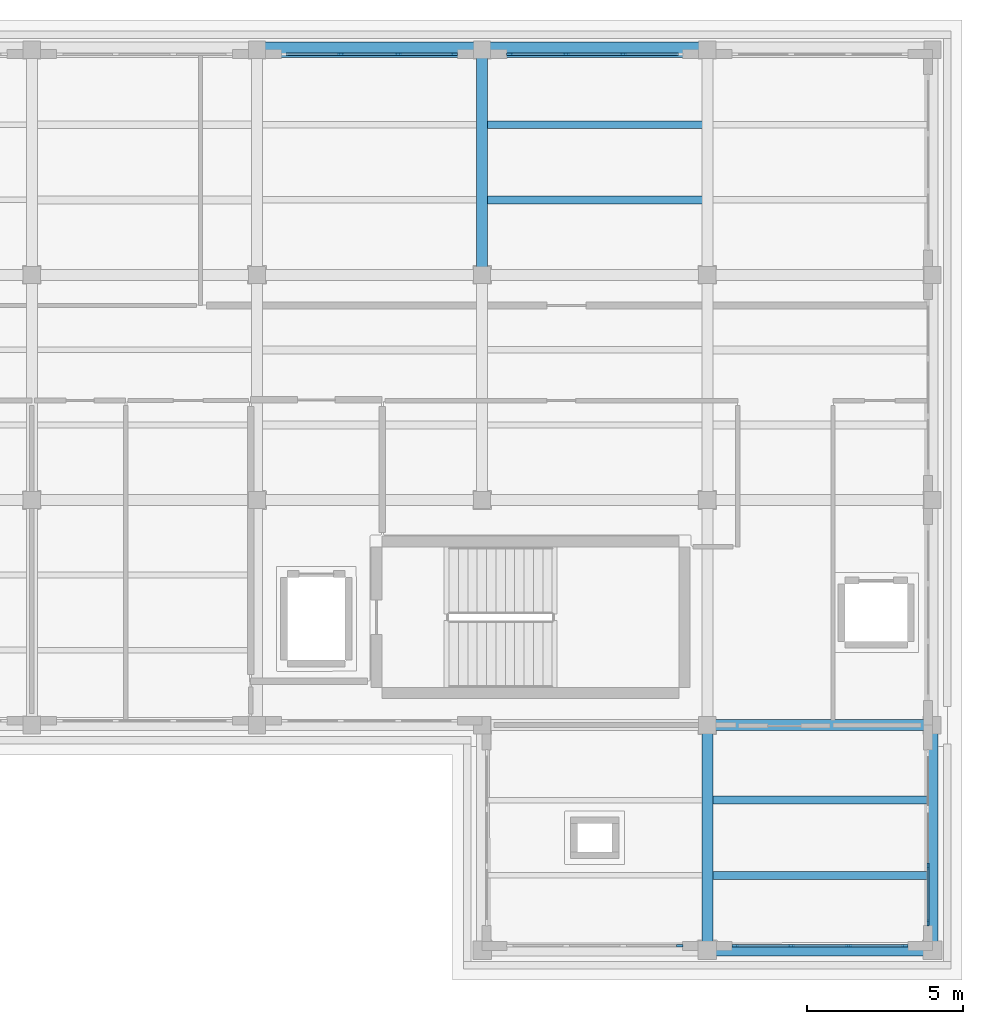
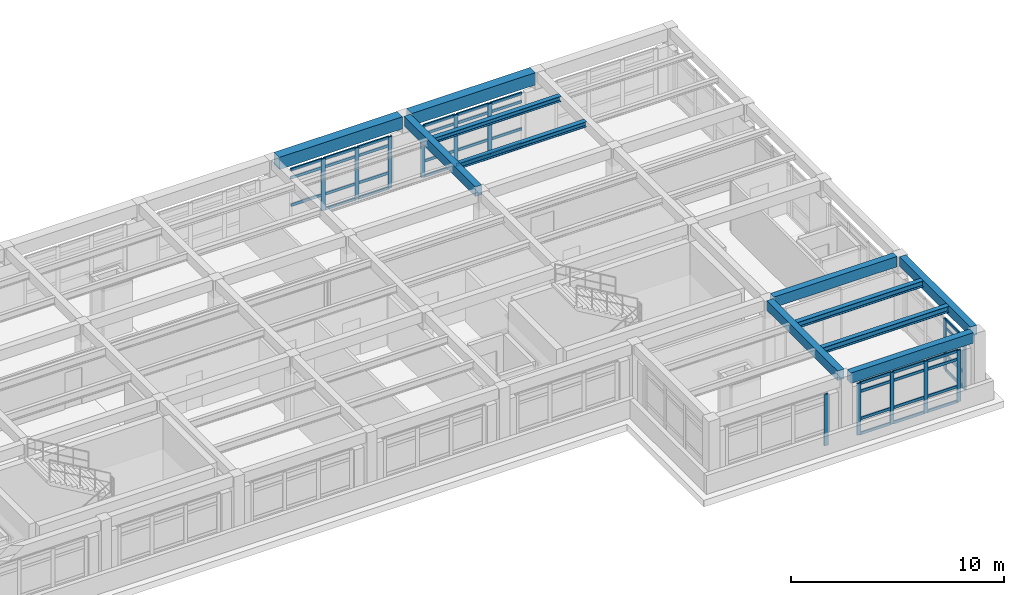
# One storey, part 8 of 21: 52 members, 11 beams, 5 elements without a shape of their own.
"""IFC4 building model written with IfcOpenShell, lengths in metres."""

import ifcopenshell
import ifcopenshell.guid

model = None  # the IFC model being written
_history = None  # IfcOwnerHistory: only IFC2X3 demands one
_inside = {}  # id of a spatial element -> (the spatial element, [elements in it])
_under = {}  # id of a project, library or spatial element -> (it, [spatial elements below it])
_declared = {}  # id of a project -> (the project, [libraries it declares])
_typed = {}  # id of a type object -> (the type object, [elements of that type])
_made_of = {}  # id of a material, layer set ... -> (it, [elements and type objects made of it])


def new_model(schema):
    """Start an empty IFC model of exactly this schema.

    Asked for "IFC4X3", IfcOpenShell would pick the latest addendum, in which some entities
    have other attributes; the version numbers below select the first issue.
    IFC2X3 requires an IfcOwnerHistory on every rooted entity: one is made here for all.
    """
    global model, _history
    if schema == "IFC4X3":
        model = ifcopenshell.file(schema_version=(4, 3, 0, 0))
    else:
        model = ifcopenshell.file(schema=schema)
    _inside.clear()
    _under.clear()
    _declared.clear()
    _typed.clear()
    _made_of.clear()
    _history = None
    if model.schema == "IFC2X3":
        org = make("IfcOrganization", Name="unknown")
        user = make(
            "IfcPersonAndOrganization",
            ThePerson=make("IfcPerson", FamilyName="unknown"),
            TheOrganization=org,
        )
        app = make(
            "IfcApplication",
            ApplicationDeveloper=org,
            Version="unknown",
            ApplicationFullName="unknown",
            ApplicationIdentifier="unknown",
        )
        _history = make(
            "IfcOwnerHistory",
            OwningUser=user,
            OwningApplication=app,
            ChangeAction="ADDED",
            CreationDate=0,
        )
    return model


def make(cls, **values):
    """One entity of the class cls with the attributes given. An attribute that is None is left unset."""
    return model.create_entity(
        cls, **{name: value for name, value in values.items() if value is not None}
    )


def rooted(cls, **values):
    """An entity with a GlobalId (a new one), such as an element, a storey or a relation."""
    return make(cls, GlobalId=ifcopenshell.guid.new(), OwnerHistory=_history, **values)


def si_unit(unit_type, name, prefix=None):
    """IfcSIUnit, for example si_unit("LENGTHUNIT", "METRE", prefix="MILLI")."""
    return make("IfcSIUnit", UnitType=unit_type, Prefix=prefix, Name=name)


def assignment(units):
    """IfcUnitAssignment: the units of a project."""
    return None if units is None else make("IfcUnitAssignment", Units=units)


def point(xyz):
    """IfcCartesianPoint."""
    return None if xyz is None else make("IfcCartesianPoint", Coordinates=xyz)


def direction(xyz):
    """IfcDirection."""
    return None if xyz is None else make("IfcDirection", DirectionRatios=xyz)


def frame(location, z_axis=None, x_axis=None):
    """IfcAxis2Placement3D, a coordinate frame: its origin and axes. An axis left out is left unset."""
    return make(
        "IfcAxis2Placement3D",
        Location=point(location),
        Axis=direction(z_axis),
        RefDirection=direction(x_axis),
    )


def frame_2d(location, x_axis=None):
    """IfcAxis2Placement2D, a coordinate frame in the plane: its origin and x axis."""
    return make(
        "IfcAxis2Placement2D", Location=point(location), RefDirection=direction(x_axis)
    )


def origin():
    """The frame at (0, 0, 0) with its axes left unset."""
    return frame((0.0, 0.0, 0.0))


def origin_2d():
    """The frame at (0, 0) in the plane with its x axis left unset."""
    return frame_2d((0.0, 0.0))


def place(relative_to, where):
    """IfcLocalPlacement: puts the frame where relative to a parent placement (None: the world)."""
    return make(
        "IfcLocalPlacement", PlacementRelTo=relative_to, RelativePlacement=where
    )


def context(
    kind, dimensions, precision=None, world=None, true_north=None, identifier=None
):
    """IfcGeometricRepresentationContext, for example the 3D "Model" context."""
    return make(
        "IfcGeometricRepresentationContext",
        ContextIdentifier=identifier,
        ContextType=kind,
        CoordinateSpaceDimension=dimensions,
        Precision=precision,
        WorldCoordinateSystem=world,
        TrueNorth=true_north,
    )


def subcontext(parent, identifier, kind, view, scale=None):
    """IfcGeometricRepresentationSubContext, for example "Body" below "Model"."""
    return make(
        "IfcGeometricRepresentationSubContext",
        ContextIdentifier=identifier,
        ContextType=kind,
        ParentContext=parent,
        TargetScale=scale,
        TargetView=view,
    )


def project(units=None, contexts=None):
    """IfcProject with its units and contexts."""
    return rooted(
        "IfcProject",
        Name="project",
        RepresentationContexts=contexts,
        UnitsInContext=assignment(units),
    )


def spatial(cls, under=None, at=None, **own):
    """A site, building, storey or space (cls), placed at a placement, below another one or the project."""
    s = rooted(cls, ObjectPlacement=at, **own)
    if under is not None:
        _under.setdefault(under.id(), (under, []))[1].append(s)
    return s


def profile(cls, at=None, kind="AREA", **sizes):
    """A parametric profile (cls). Its sizes go by their IFC names, for example OverallWidth=200.0."""
    return make(cls, ProfileType=kind, Position=at, **sizes)


def rectangle(**sizes):
    """IfcRectangleProfileDef."""
    return profile("IfcRectangleProfileDef", **sizes)


def i_section(**sizes):
    """IfcIShapeProfileDef."""
    return profile("IfcIShapeProfileDef", **sizes)


def extrude(swept, where, along, depth):
    """IfcExtrudedAreaSolid: the profile swept, set in the frame where, extruded along a direction by depth."""
    return make(
        "IfcExtrudedAreaSolid",
        SweptArea=swept,
        Position=where,
        ExtrudedDirection=direction(along),
        Depth=depth,
    )


def shape(context_of_items, identifier, shape_type, items):
    """IfcShapeRepresentation: the items that make up one representation, for example the "Body"."""
    return make(
        "IfcShapeRepresentation",
        ContextOfItems=context_of_items,
        RepresentationIdentifier=identifier,
        RepresentationType=shape_type,
        Items=items,
    )


def material(Name=None, Category=None):
    """IfcMaterial."""
    return make("IfcMaterial", Name=Name, Category=Category)


def layer(
    of_material, thickness, ventilated=None, Name=None, Category=None, Priority=None
):
    """IfcMaterialLayer: one layer of a wall or slab, of a material (None: an air gap)."""
    return make(
        "IfcMaterialLayer",
        Material=of_material,
        LayerThickness=thickness,
        IsVentilated=ventilated,
        Name=Name,
        Category=Category,
        Priority=Priority,
    )


def layer_set(layers, Name=None):
    """IfcMaterialLayerSet."""
    return make("IfcMaterialLayerSet", MaterialLayers=layers, LayerSetName=Name)


def material_profile(
    of_material, cross_section, Name=None, Category=None, Priority=None
):
    """IfcMaterialProfile: a cross section and its material."""
    return make(
        "IfcMaterialProfile",
        Name=Name,
        Material=of_material,
        Profile=cross_section,
        Priority=Priority,
        Category=Category,
    )


def profile_set(profiles, Name=None, composite=None):
    """IfcMaterialProfileSet."""
    return make(
        "IfcMaterialProfileSet",
        Name=Name,
        MaterialProfiles=profiles,
        CompositeProfile=composite,
    )


def made_of(thing, what):
    """Note that an element or type object is made of a material, layer set ...; save() writes the relation."""
    if what is not None:
        _made_of.setdefault(what.id(), (what, []))[1].append(thing)
    return thing


def type_object(cls, material=None, **own):
    """A type object (cls), such as IfcWallType, which elements share."""
    return made_of(rooted(cls, **own), material)


def element(
    cls,
    number,
    at=None,
    inside=None,
    cuts=None,
    type_object=None,
    material=None,
    context=None,
    identifier="Body",
    shape_type=None,
    held_by="IfcProductDefinitionShape",
    body=None,
    shapes=None,
    **own,
):
    """One element of the class cls, such as IfcWall. Its Tag is "e" and its number.

    at: its placement. inside: the storey or other place that contains it. cuts: it is an
    opening in that element (IfcRelVoidsElement). A single representation is given by context,
    identifier, shape_type and body (its items); several are given by shapes. held_by: the class
    of the entity that holds the representations. save() writes the other relations.
    """
    e = rooted(cls, Tag="e%d" % number, ObjectPlacement=at, **own)
    if body is not None:
        shapes = [shape(context, identifier, shape_type, body)]
    if shapes is not None:
        e.Representation = make(held_by, Representations=shapes)
    if inside is not None:
        _inside.setdefault(inside.id(), (inside, []))[1].append(e)
    if cuts is not None:
        rooted(
            "IfcRelVoidsElement", RelatingBuildingElement=cuts, RelatedOpeningElement=e
        )
    if type_object is not None:
        _typed.setdefault(type_object.id(), (type_object, []))[1].append(e)
    return made_of(e, material)


def aggregate(whole, parts):
    """IfcRelAggregates: a whole, such as a stair, and the parts it consists of."""
    return rooted("IfcRelAggregates", RelatingObject=whole, RelatedObjects=parts)


def save(model, path):
    """Write the relations noted so far, then the file.

    IfcRelAggregates (storeys below a building ...), IfcRelContainedInSpatialStructure (elements
    in a storey), IfcRelDefinesByType, IfcRelAssociatesMaterial and IfcRelDeclares: one each for
    every whole, place, type object, material and project.
    """
    for whole, parts in _under.values():
        aggregate(whole, parts)
    for where, things in _inside.values():
        rooted(
            "IfcRelContainedInSpatialStructure",
            RelatedElements=things,
            RelatingStructure=where,
        )
    for kind, things in _typed.values():
        rooted("IfcRelDefinesByType", RelatedObjects=things, RelatingType=kind)
    for what, things in _made_of.values():
        rooted("IfcRelAssociatesMaterial", RelatedObjects=things, RelatingMaterial=what)
    for by, libraries in _declared.values():
        rooted("IfcRelDeclares", RelatingContext=by, RelatedDefinitions=libraries)
    model.write(path)


model = new_model("IFC4")

# Units and contexts
model_context = context("Model", 3, precision=1e-05, world=origin(), true_north=direction((0.0, 1.0)))
body_context = subcontext(model_context, "Body", "Model", "MODEL_VIEW")
ifc_project = project(units=[si_unit("LENGTHUNIT", "METRE"), si_unit("AREAUNIT", "SQUARE_METRE"), si_unit("VOLUMEUNIT", "CUBIC_METRE"), si_unit("PLANEANGLEUNIT", "RADIAN"), si_unit("MASSUNIT", "GRAM", prefix="KILO")], contexts=[model_context])

# Site, building, storey
site_placement = place(None, origin())
site = spatial("IfcSite", under=ifc_project, at=site_placement, CompositionType="ELEMENT")
building_placement = place(site_placement, origin())
building = spatial("IfcBuilding", under=site, at=building_placement, Name="Solenvale Faculty of Natural Sciences", CompositionType="ELEMENT")
storey_placement = place(building_placement, frame((0.0, 0.0, 31.199951171875)))
storey = spatial("IfcBuildingStorey", under=building, at=storey_placement, Name="L07", CompositionType="ELEMENT", Elevation=31.199951171875)

# Beams
ifc_material_1 = material(Name="Concrete 40 MPa", Category="concrete")
ifc_material_profile_1 = material_profile(ifc_material_1, rectangle(XDim=0.35009765625, YDim=0.550048828125, at=origin_2d()), Name="RC-BM-350x550")
ifc_profile_set_1 = profile_set([ifc_material_profile_1], Name="Concrete 40 MPa")
beam_type_1 = type_object("IfcBeamType", Name="BM-RC-350x550", PredefinedType="BEAM", material=ifc_profile_set_1)
beam_1_placement = place(storey_placement, frame((136.800048828125, 108.2548828125, 3.64501953125), z_axis=(0.0, 1.0, 0.0), x_axis=(-1.0, 0.0, 0.0)))
element("IfcBeam", 1, at=beam_1_placement, inside=storey, type_object=beam_type_1, Name="L07 Y-Girder X136.8 (108.0..115.2)", PredefinedType="BEAM", context=body_context, shape_type="SweptSolid", body=[
    extrude(rectangle(XDim=0.35009765625, YDim=0.550048828125, at=origin_2d()), origin(), (0.0, 0.0, 1.0), 6.690185546875),
])
for number, where, z_axis, x_axis, name in (
    (2, (144.0, 86.679931640625, 3.64501953125), (0.0, 1.0, 0.0), (-1.0, 0.0, 0.0), "L07 Y-Girder X144.0 (86.4..93.6)"),
    (3, (151.199951171875, 86.679931640625, 3.64501953125), (0.0, 1.0, 0.0), (-1.0, 0.0, 0.0), "L07 Y-Girder X151.2 (86.4..93.6)"),
):
    element("IfcBeam", number, at=place(storey_placement, frame(where, z_axis=z_axis, x_axis=x_axis)), inside=storey, type_object=beam_type_1, Name=name, PredefinedType="BEAM", context=body_context, shape_type="SweptSolid", body=[
        extrude(rectangle(XDim=0.35009765625, YDim=0.550048828125, at=origin_2d()), origin(), (0.0, 0.0, 1.0), 6.6650390625),
    ])
ifc_material_profile_2 = material_profile(ifc_material_1, rectangle(XDim=0.35009765625, YDim=0.60009765625, at=origin_2d()), Name="RC-BM-350x600")
ifc_profile_set_2 = profile_set([ifc_material_profile_2], Name="Concrete 40 MPa")
beam_type_2 = type_object("IfcBeamType", Name="BM-RC-350x600", PredefinedType="BEAM", material=ifc_profile_set_2)
beam_2_placement = place(storey_placement, frame((144.280029296875, 86.39990234375, 3.6201171875), z_axis=(1.0, 0.0, 0.0), x_axis=(0.0, 1.0, 0.0)))
element("IfcBeam", 4, at=beam_2_placement, inside=storey, type_object=beam_type_2, Name="L07 X-Girder Y86.4 (144.0..151.2)", PredefinedType="BEAM", context=body_context, shape_type="SweptSolid", body=[
    extrude(rectangle(XDim=0.35009765625, YDim=0.60009765625, at=origin_2d()), origin(), (0.0, 0.0, 1.0), 6.639892578125),
])
beam_3_placement = place(storey_placement, frame((144.2548828125, 93.60009765625, 3.6201171875), z_axis=(1.0, 0.0, 0.0), x_axis=(0.0, 1.0, 0.0)))
element("IfcBeam", 5, at=beam_3_placement, inside=storey, type_object=beam_type_2, Name="L07 X-Girder Y93.6 (144.0..151.2)", PredefinedType="BEAM", context=body_context, shape_type="SweptSolid", body=[
    extrude(rectangle(XDim=0.35009765625, YDim=0.60009765625, at=origin_2d()), origin(), (0.0, 0.0, 1.0), 6.690185546875),
])
ifc_material_2 = material(Name="Precast concrete 40 MPa", Category="concrete")
ifc_material_profile_3 = material_profile(ifc_material_2, rectangle(XDim=0.5, YDim=0.699951171875, at=origin_2d()), Name="RC-BM-500x700")
ifc_profile_set_3 = profile_set([ifc_material_profile_3], Name="Precast concrete 40 MPa")
beam_type_3 = type_object("IfcBeamType", Name="BM-SPN-PRC-700", PredefinedType="SPANDREL", material=ifc_profile_set_3)
beam_4_placement = place(storey_placement, frame((129.85498046875, 115.199951171875, 3.570068359375), z_axis=(1.0, 0.0, 0.0), x_axis=(0.0, 1.0, 0.0)))
element("IfcBeam", 6, at=beam_4_placement, inside=storey, type_object=beam_type_3, Name="L07 X-Girder Y115.2 (129.6..136.8)", PredefinedType="SPANDREL", context=body_context, shape_type="SweptSolid", body=[
    extrude(rectangle(XDim=0.5, YDim=0.699951171875, at=origin_2d()), origin(), (0.0, 0.0, 1.0), 6.68994140625),
])
beam_5_placement = place(storey_placement, frame((137.054931640625, 115.199951171875, 3.570068359375), z_axis=(1.0, 0.0, 0.0), x_axis=(0.0, 1.0, 0.0)))
element("IfcBeam", 7, at=beam_5_placement, inside=storey, type_object=beam_type_3, Name="L07 X-Girder Y115.2 (136.8..144.0)", PredefinedType="SPANDREL", context=body_context, shape_type="SweptSolid", body=[
    extrude(rectangle(XDim=0.5, YDim=0.699951171875, at=origin_2d()), origin(), (0.0, 0.0, 1.0), 6.690185546875),
])
ifc_material_3 = material(Name="Steel S355", Category="steel")
ifc_material_profile_4 = material_profile(ifc_material_3, i_section(OverallWidth=0.25390625, OverallDepth=0.305908203125, WebThickness=0.0087890625, FlangeThickness=0.0146484375, FilletRadius=0.014892578125, at=origin_2d()), Name="W310x79")
ifc_profile_set_4 = profile_set([ifc_material_profile_4], Name="Steel S355")
beam_type_4 = type_object("IfcBeamType", Name="BM-STL-W310x79", PredefinedType="JOIST", material=ifc_profile_set_4)
for number, where, z_axis, x_axis, name in (
    (8, (136.955078125, 110.39990234375, 3.76708984375), (1.0, 0.0, 0.0), (0.0, 1.0, 0.0), "L07 Composite Floor Joist (20,16).1"),
    (9, (136.955078125, 112.800048828125, 3.76708984375), (1.0, 0.0, 0.0), (0.0, 1.0, 0.0), "L07 Composite Floor Joist (20,16).2"),
):
    element("IfcBeam", number, at=place(storey_placement, frame(where, z_axis=z_axis, x_axis=x_axis)), inside=storey, type_object=beam_type_4, Name=name, PredefinedType="JOIST", context=body_context, shape_type="SweptSolid", body=[
        extrude(i_section(OverallWidth=0.25390625, OverallDepth=0.305908203125, WebThickness=0.0087890625, FlangeThickness=0.0146484375, FilletRadius=0.014892578125, at=origin_2d()), origin(), (0.0, 0.0, 1.0), 6.889892578125),
    ])
ifc_material_profile_5 = material_profile(ifc_material_3, i_section(OverallWidth=0.2548828125, OverallDepth=0.35693359375, WebThickness=0.010498046875, FlangeThickness=0.018310546875, FilletRadius=0.014892578125, at=origin_2d()), Name="W360x101")
ifc_profile_set_5 = profile_set([ifc_material_profile_5], Name="Steel S355")
beam_type_5 = type_object("IfcBeamType", Name="BM-STL-W360x101", PredefinedType="JOIST", material=ifc_profile_set_5)
for number, where, z_axis, x_axis, name in (
    (10, (144.155029296875, 88.800048828125, 3.741455078125), (1.0, 0.0, 0.0), (0.0, 1.0, 0.0), "L07 Composite Floor Joist (21,13).1"),
    (11, (144.155029296875, 91.199951171875, 3.741455078125), (1.0, 0.0, 0.0), (0.0, 1.0, 0.0), "L07 Composite Floor Joist (21,13).2"),
):
    element("IfcBeam", number, at=place(storey_placement, frame(where, z_axis=z_axis, x_axis=x_axis)), inside=storey, type_object=beam_type_5, Name=name, PredefinedType="JOIST", context=body_context, shape_type="SweptSolid", body=[
        extrude(i_section(OverallWidth=0.2548828125, OverallDepth=0.35693359375, WebThickness=0.010498046875, FlangeThickness=0.018310546875, FilletRadius=0.014892578125, at=origin_2d()), origin(), (0.0, 0.0, 1.0), 6.889892578125),
    ])

# Curtain wall, members
ifc_material_4 = material(Name="Anodised bronze aluminium", Category="aluminium")
ifc_layer = layer(ifc_material_4, 0.179931640625)
ifc_layer_set = layer_set([ifc_layer], Name="Anodised bronze aluminium")
curtain_wall_type = type_object("IfcCurtainWallType", Name="CW-TWR-MOD", PredefinedType="USERDEFINED", material=ifc_layer_set)
curtain_wall_1_placement = place(storey_placement, origin())
curtain_wall_1 = element("IfcCurtainWall", 12, at=curtain_wall_1_placement, inside=storey, type_object=curtain_wall_type, Name="L07 Curtain Wall CW-L07-P1-E2-B2", ObjectType="UNITISED CURTAIN WALL", PredefinedType="USERDEFINED")
ifc_material_profile_6 = material_profile(ifc_material_4, rectangle(XDim=0.074951171875, YDim=0.2099609375, at=origin_2d()), Name="ALU-MUL-75x210")
ifc_profile_set_6 = profile_set([ifc_material_profile_6], Name="Anodised bronze aluminium")
member_type_1 = type_object("IfcMemberType", Name="CWM-ALU-75x210", PredefinedType="MULLION", material=ifc_profile_set_6)
member_1_placement = place(storey_placement, frame((141.316650390625, 115.0576171875, 0.0), z_axis=(0.0, 0.0, 1.0), x_axis=(0.0, -1.0, 0.0)))
member_1 = element("IfcMember", 13, at=member_1_placement, type_object=member_type_1, Name="CW-04 mullion 2", PredefinedType="MULLION", context=body_context, shape_type="SweptSolid", body=[
    extrude(rectangle(XDim=0.074951171875, YDim=0.2099609375, at=origin_2d()), origin(), (0.0, 0.0, 1.0), 2.9599609375),
])
member_2_placement = place(storey_placement, frame((139.4833984375, 115.0576171875, 0.0), z_axis=(0.0, 0.0, 1.0), x_axis=(0.0, -1.0, 0.0)))
member_2 = element("IfcMember", 14, at=member_2_placement, type_object=member_type_1, Name="CW-04 mullion 3", PredefinedType="MULLION", context=body_context, shape_type="SweptSolid", body=[
    extrude(rectangle(XDim=0.074951171875, YDim=0.2099609375, at=origin_2d()), origin(), (0.0, 0.0, 1.0), 2.9599609375),
])
member_3_placement = place(storey_placement, frame((137.6875, 115.0576171875, 0.0), z_axis=(0.0, 0.0, 1.0), x_axis=(0.0, -1.0, 0.0)))
member_3 = element("IfcMember", 15, at=member_3_placement, type_object=member_type_1, Name="CW-04 mullion 4", PredefinedType="MULLION", context=body_context, shape_type="SweptSolid", body=[
    extrude(rectangle(XDim=0.074951171875, YDim=0.2099609375, at=origin_2d()), origin(), (0.0, 0.0, 1.0), 2.9599609375),
])

curtain_wall_2_placement = place(storey_placement, origin())
curtain_wall_2 = element("IfcCurtainWall", 16, at=curtain_wall_2_placement, inside=storey, type_object=curtain_wall_type, Name="L07 Curtain Wall CW-L07-P1-E2-B3", ObjectType="UNITISED CURTAIN WALL", PredefinedType="USERDEFINED")
member_4_placement = place(storey_placement, frame((135.91259765625, 115.0576171875, 0.0), z_axis=(0.0, 0.0, 1.0), x_axis=(0.0, -1.0, 0.0)))
member_4 = element("IfcMember", 17, at=member_4_placement, type_object=member_type_1, Name="CW-04 mullion 1", PredefinedType="MULLION", context=body_context, shape_type="SweptSolid", body=[
    extrude(rectangle(XDim=0.074951171875, YDim=0.2099609375, at=origin_2d()), origin(), (0.0, 0.0, 1.0), 2.9599609375),
])
member_5_placement = place(storey_placement, frame((134.11669921875, 115.0576171875, 0.0), z_axis=(0.0, 0.0, 1.0), x_axis=(0.0, -1.0, 0.0)))
member_5 = element("IfcMember", 18, at=member_5_placement, type_object=member_type_1, Name="CW-04 mullion 2", PredefinedType="MULLION", context=body_context, shape_type="SweptSolid", body=[
    extrude(rectangle(XDim=0.074951171875, YDim=0.2099609375, at=origin_2d()), origin(), (0.0, 0.0, 1.0), 2.9599609375),
])
member_6_placement = place(storey_placement, frame((132.283447265625, 115.0576171875, 0.0), z_axis=(0.0, 0.0, 1.0), x_axis=(0.0, -1.0, 0.0)))
member_6 = element("IfcMember", 19, at=member_6_placement, type_object=member_type_1, Name="CW-04 mullion 3", PredefinedType="MULLION", context=body_context, shape_type="SweptSolid", body=[
    extrude(rectangle(XDim=0.074951171875, YDim=0.2099609375, at=origin_2d()), origin(), (0.0, 0.0, 1.0), 2.9599609375),
])

# Curtain wall, member
curtain_wall_3_placement = place(storey_placement, origin())
curtain_wall_3 = element("IfcCurtainWall", 20, at=curtain_wall_3_placement, inside=storey, type_object=curtain_wall_type, Name="L07 Curtain Wall CW-L07-P1-E6-B1", ObjectType="UNITISED CURTAIN WALL", PredefinedType="USERDEFINED")
member_7_placement = place(storey_placement, frame((143.112548828125, 86.54248046875, 0.0), z_axis=(0.0, 0.0, 1.0), x_axis=(0.0, 1.0, 0.0)))
member_7 = element("IfcMember", 21, at=member_7_placement, type_object=member_type_1, Name="CW-04 mullion 4", PredefinedType="MULLION", context=body_context, shape_type="SweptSolid", body=[
    extrude(rectangle(XDim=0.074951171875, YDim=0.2099609375, at=origin_2d()), origin(), (0.0, 0.0, 1.0), 2.9599609375),
])
aggregate(curtain_wall_3, [member_7])

# Curtain wall, members
curtain_wall_4_placement = place(storey_placement, origin())
curtain_wall_4 = element("IfcCurtainWall", 22, at=curtain_wall_4_placement, inside=storey, type_object=curtain_wall_type, Name="L07 Curtain Wall CW-L07-P1-E6-B2", ObjectType="UNITISED CURTAIN WALL", PredefinedType="USERDEFINED")
member_8_placement = place(storey_placement, frame((144.887451171875, 86.54248046875, 0.0), z_axis=(0.0, 0.0, 1.0), x_axis=(0.0, 1.0, 0.0)))
member_8 = element("IfcMember", 23, at=member_8_placement, type_object=member_type_1, Name="CW-04 mullion 1", PredefinedType="MULLION", context=body_context, shape_type="SweptSolid", body=[
    extrude(rectangle(XDim=0.074951171875, YDim=0.2099609375, at=origin_2d()), origin(), (0.0, 0.0, 1.0), 2.9599609375),
])
member_9_placement = place(storey_placement, frame((146.683349609375, 86.54248046875, 0.0), z_axis=(0.0, 0.0, 1.0), x_axis=(0.0, 1.0, 0.0)))
member_9 = element("IfcMember", 24, at=member_9_placement, type_object=member_type_1, Name="CW-04 mullion 2", PredefinedType="MULLION", context=body_context, shape_type="SweptSolid", body=[
    extrude(rectangle(XDim=0.074951171875, YDim=0.2099609375, at=origin_2d()), origin(), (0.0, 0.0, 1.0), 2.9599609375),
])
member_10_placement = place(storey_placement, frame((148.5166015625, 86.54248046875, 0.0), z_axis=(0.0, 0.0, 1.0), x_axis=(0.0, 1.0, 0.0)))
member_10 = element("IfcMember", 25, at=member_10_placement, type_object=member_type_1, Name="CW-04 mullion 3", PredefinedType="MULLION", context=body_context, shape_type="SweptSolid", body=[
    extrude(rectangle(XDim=0.074951171875, YDim=0.2099609375, at=origin_2d()), origin(), (0.0, 0.0, 1.0), 2.9599609375),
])
member_11_placement = place(storey_placement, frame((150.3125, 86.54248046875, 0.0), z_axis=(0.0, 0.0, 1.0), x_axis=(0.0, 1.0, 0.0)))
member_11 = element("IfcMember", 26, at=member_11_placement, type_object=member_type_1, Name="CW-04 mullion 4", PredefinedType="MULLION", context=body_context, shape_type="SweptSolid", body=[
    extrude(rectangle(XDim=0.074951171875, YDim=0.2099609375, at=origin_2d()), origin(), (0.0, 0.0, 1.0), 2.9599609375),
])

curtain_wall_5_placement = place(storey_placement, origin())
curtain_wall_5 = element("IfcCurtainWall", 27, at=curtain_wall_5_placement, inside=storey, type_object=curtain_wall_type, Name="L07 Curtain Wall CW-L07-P1-E7-B1", ObjectType="UNITISED CURTAIN WALL", PredefinedType="USERDEFINED")
member_12_placement = place(storey_placement, frame((151.0576171875, 87.28759765625, 0.0), z_axis=(0.0, 0.0, 1.0), x_axis=(-1.0, 0.0, 0.0)))
member_12 = element("IfcMember", 28, at=member_12_placement, type_object=member_type_1, Name="CW-04 mullion 1", PredefinedType="MULLION", context=body_context, shape_type="SweptSolid", body=[
    extrude(rectangle(XDim=0.074951171875, YDim=0.2099609375, at=origin_2d()), origin(), (0.0, 0.0, 1.0), 2.9599609375),
])
member_13_placement = place(storey_placement, frame((151.0576171875, 89.083251953125, 0.0), z_axis=(0.0, 0.0, 1.0), x_axis=(-1.0, 0.0, 0.0)))
member_13 = element("IfcMember", 29, at=member_13_placement, type_object=member_type_1, Name="CW-04 mullion 2", PredefinedType="MULLION", context=body_context, shape_type="SweptSolid", body=[
    extrude(rectangle(XDim=0.074951171875, YDim=0.2099609375, at=origin_2d()), origin(), (0.0, 0.0, 1.0), 2.9599609375),
])

# Member
ifc_material_profile_7 = material_profile(ifc_material_4, rectangle(XDim=0.074951171875, YDim=0.155029296875, at=origin_2d()), Name="ALU-TRN-75x155")
ifc_profile_set_7 = profile_set([ifc_material_profile_7], Name="Anodised bronze aluminium")
member_type_2 = type_object("IfcMemberType", Name="CWT-ALU-75x155", PredefinedType="USERDEFINED", material=ifc_profile_set_7)
member_14_placement = place(storey_placement, frame((143.074951171875, 115.0576171875, 0.03759765625), z_axis=(-1.0, 0.0, 0.0), x_axis=(0.0, -1.0, 0.0)))
member_14 = element("IfcMember", 30, at=member_14_placement, type_object=member_type_2, Name="CW-04 transom 1.1", ObjectType="TRANSOM", PredefinedType="USERDEFINED", context=body_context, shape_type="SweptSolid", body=[
    extrude(rectangle(XDim=0.074951171875, YDim=0.155029296875, at=origin_2d()), origin(), (0.0, 0.0, 1.0), 1.720703125),
])

member_15_placement = place(storey_placement, frame((143.074951171875, 115.0576171875, 0.900146484375), z_axis=(-1.0, 0.0, 0.0), x_axis=(0.0, -1.0, 0.0)))
member_15 = element("IfcMember", 31, at=member_15_placement, type_object=member_type_2, Name="CW-04 transom 1.2", ObjectType="TRANSOM", PredefinedType="USERDEFINED", context=body_context, shape_type="SweptSolid", body=[
    extrude(rectangle(XDim=0.074951171875, YDim=0.155029296875, at=origin_2d()), origin(), (0.0, 0.0, 1.0), 1.720703125),
])

member_16_placement = place(storey_placement, frame((143.074951171875, 115.0576171875, 2.4599609375), z_axis=(-1.0, 0.0, 0.0), x_axis=(0.0, -1.0, 0.0)))
member_16 = element("IfcMember", 32, at=member_16_placement, type_object=member_type_2, Name="CW-04 transom 1.3", ObjectType="TRANSOM", PredefinedType="USERDEFINED", context=body_context, shape_type="SweptSolid", body=[
    extrude(rectangle(XDim=0.074951171875, YDim=0.155029296875, at=origin_2d()), origin(), (0.0, 0.0, 1.0), 1.720703125),
])

member_17_placement = place(storey_placement, frame((143.074951171875, 115.0576171875, 2.922607421875), z_axis=(-1.0, 0.0, 0.0), x_axis=(0.0, -1.0, 0.0)))
member_17 = element("IfcMember", 33, at=member_17_placement, type_object=member_type_2, Name="CW-04 transom 1.4", ObjectType="TRANSOM", PredefinedType="USERDEFINED", context=body_context, shape_type="SweptSolid", body=[
    extrude(rectangle(XDim=0.074951171875, YDim=0.155029296875, at=origin_2d()), origin(), (0.0, 0.0, 1.0), 1.720703125),
])

member_18_placement = place(storey_placement, frame((141.279052734375, 115.0576171875, 0.03759765625), z_axis=(-1.0, 0.0, 0.0), x_axis=(0.0, -1.0, 0.0)))
member_18 = element("IfcMember", 34, at=member_18_placement, type_object=member_type_2, Name="CW-04 transom 2.1", ObjectType="TRANSOM", PredefinedType="USERDEFINED", context=body_context, shape_type="SweptSolid", body=[
    extrude(rectangle(XDim=0.074951171875, YDim=0.155029296875, at=origin_2d()), origin(), (0.0, 0.0, 1.0), 1.75830078125),
])

member_19_placement = place(storey_placement, frame((141.279052734375, 115.0576171875, 0.900146484375), z_axis=(-1.0, 0.0, 0.0), x_axis=(0.0, -1.0, 0.0)))
member_19 = element("IfcMember", 35, at=member_19_placement, type_object=member_type_2, Name="CW-04 transom 2.2", ObjectType="TRANSOM", PredefinedType="USERDEFINED", context=body_context, shape_type="SweptSolid", body=[
    extrude(rectangle(XDim=0.074951171875, YDim=0.155029296875, at=origin_2d()), origin(), (0.0, 0.0, 1.0), 1.75830078125),
])

member_20_placement = place(storey_placement, frame((141.279052734375, 115.0576171875, 2.4599609375), z_axis=(-1.0, 0.0, 0.0), x_axis=(0.0, -1.0, 0.0)))
member_20 = element("IfcMember", 36, at=member_20_placement, type_object=member_type_2, Name="CW-04 transom 2.3", ObjectType="TRANSOM", PredefinedType="USERDEFINED", context=body_context, shape_type="SweptSolid", body=[
    extrude(rectangle(XDim=0.074951171875, YDim=0.155029296875, at=origin_2d()), origin(), (0.0, 0.0, 1.0), 1.75830078125),
])

member_21_placement = place(storey_placement, frame((141.279052734375, 115.0576171875, 2.922607421875), z_axis=(-1.0, 0.0, 0.0), x_axis=(0.0, -1.0, 0.0)))
member_21 = element("IfcMember", 37, at=member_21_placement, type_object=member_type_2, Name="CW-04 transom 2.4", ObjectType="TRANSOM", PredefinedType="USERDEFINED", context=body_context, shape_type="SweptSolid", body=[
    extrude(rectangle(XDim=0.074951171875, YDim=0.155029296875, at=origin_2d()), origin(), (0.0, 0.0, 1.0), 1.75830078125),
])

member_22_placement = place(storey_placement, frame((139.44580078125, 115.0576171875, 0.03759765625), z_axis=(-1.0, 0.0, 0.0), x_axis=(0.0, -1.0, 0.0)))
member_22 = element("IfcMember", 38, at=member_22_placement, type_object=member_type_2, Name="CW-04 transom 3.1", ObjectType="TRANSOM", PredefinedType="USERDEFINED", context=body_context, shape_type="SweptSolid", body=[
    extrude(rectangle(XDim=0.074951171875, YDim=0.155029296875, at=origin_2d()), origin(), (0.0, 0.0, 1.0), 1.720703125),
])

member_23_placement = place(storey_placement, frame((139.44580078125, 115.0576171875, 0.900146484375), z_axis=(-1.0, 0.0, 0.0), x_axis=(0.0, -1.0, 0.0)))
member_23 = element("IfcMember", 39, at=member_23_placement, type_object=member_type_2, Name="CW-04 transom 3.2", ObjectType="TRANSOM", PredefinedType="USERDEFINED", context=body_context, shape_type="SweptSolid", body=[
    extrude(rectangle(XDim=0.074951171875, YDim=0.155029296875, at=origin_2d()), origin(), (0.0, 0.0, 1.0), 1.720703125),
])

member_24_placement = place(storey_placement, frame((139.44580078125, 115.0576171875, 2.4599609375), z_axis=(-1.0, 0.0, 0.0), x_axis=(0.0, -1.0, 0.0)))
member_24 = element("IfcMember", 40, at=member_24_placement, type_object=member_type_2, Name="CW-04 transom 3.3", ObjectType="TRANSOM", PredefinedType="USERDEFINED", context=body_context, shape_type="SweptSolid", body=[
    extrude(rectangle(XDim=0.074951171875, YDim=0.155029296875, at=origin_2d()), origin(), (0.0, 0.0, 1.0), 1.720703125),
])

member_25_placement = place(storey_placement, frame((139.44580078125, 115.0576171875, 2.922607421875), z_axis=(-1.0, 0.0, 0.0), x_axis=(0.0, -1.0, 0.0)))
member_25 = element("IfcMember", 41, at=member_25_placement, type_object=member_type_2, Name="CW-04 transom 3.4", ObjectType="TRANSOM", PredefinedType="USERDEFINED", context=body_context, shape_type="SweptSolid", body=[
    extrude(rectangle(XDim=0.074951171875, YDim=0.155029296875, at=origin_2d()), origin(), (0.0, 0.0, 1.0), 1.720703125),
])

aggregate(curtain_wall_1, [member_1, member_2, member_3, member_14, member_15, member_16, member_17, member_18, member_19, member_20, member_21, member_22, member_23, member_24, member_25])

member_26_placement = place(storey_placement, frame((135.875, 115.0576171875, 0.03759765625), z_axis=(-1.0, 0.0, 0.0), x_axis=(0.0, -1.0, 0.0)))
member_26 = element("IfcMember", 42, at=member_26_placement, type_object=member_type_2, Name="CW-04 transom 1.1", ObjectType="TRANSOM", PredefinedType="USERDEFINED", context=body_context, shape_type="SweptSolid", body=[
    extrude(rectangle(XDim=0.074951171875, YDim=0.155029296875, at=origin_2d()), origin(), (0.0, 0.0, 1.0), 1.720947265625),
])

member_27_placement = place(storey_placement, frame((135.875, 115.0576171875, 0.900146484375), z_axis=(-1.0, 0.0, 0.0), x_axis=(0.0, -1.0, 0.0)))
member_27 = element("IfcMember", 43, at=member_27_placement, type_object=member_type_2, Name="CW-04 transom 1.2", ObjectType="TRANSOM", PredefinedType="USERDEFINED", context=body_context, shape_type="SweptSolid", body=[
    extrude(rectangle(XDim=0.074951171875, YDim=0.155029296875, at=origin_2d()), origin(), (0.0, 0.0, 1.0), 1.720947265625),
])

member_28_placement = place(storey_placement, frame((135.875, 115.0576171875, 2.4599609375), z_axis=(-1.0, 0.0, 0.0), x_axis=(0.0, -1.0, 0.0)))
member_28 = element("IfcMember", 44, at=member_28_placement, type_object=member_type_2, Name="CW-04 transom 1.3", ObjectType="TRANSOM", PredefinedType="USERDEFINED", context=body_context, shape_type="SweptSolid", body=[
    extrude(rectangle(XDim=0.074951171875, YDim=0.155029296875, at=origin_2d()), origin(), (0.0, 0.0, 1.0), 1.720947265625),
])

member_29_placement = place(storey_placement, frame((135.875, 115.0576171875, 2.922607421875), z_axis=(-1.0, 0.0, 0.0), x_axis=(0.0, -1.0, 0.0)))
member_29 = element("IfcMember", 45, at=member_29_placement, type_object=member_type_2, Name="CW-04 transom 1.4", ObjectType="TRANSOM", PredefinedType="USERDEFINED", context=body_context, shape_type="SweptSolid", body=[
    extrude(rectangle(XDim=0.074951171875, YDim=0.155029296875, at=origin_2d()), origin(), (0.0, 0.0, 1.0), 1.720947265625),
])

member_30_placement = place(storey_placement, frame((134.0791015625, 115.0576171875, 0.03759765625), z_axis=(-1.0, 0.0, 0.0), x_axis=(0.0, -1.0, 0.0)))
member_30 = element("IfcMember", 46, at=member_30_placement, type_object=member_type_2, Name="CW-04 transom 2.1", ObjectType="TRANSOM", PredefinedType="USERDEFINED", context=body_context, shape_type="SweptSolid", body=[
    extrude(rectangle(XDim=0.074951171875, YDim=0.155029296875, at=origin_2d()), origin(), (0.0, 0.0, 1.0), 1.75830078125),
])

member_31_placement = place(storey_placement, frame((134.0791015625, 115.0576171875, 0.900146484375), z_axis=(-1.0, 0.0, 0.0), x_axis=(0.0, -1.0, 0.0)))
member_31 = element("IfcMember", 47, at=member_31_placement, type_object=member_type_2, Name="CW-04 transom 2.2", ObjectType="TRANSOM", PredefinedType="USERDEFINED", context=body_context, shape_type="SweptSolid", body=[
    extrude(rectangle(XDim=0.074951171875, YDim=0.155029296875, at=origin_2d()), origin(), (0.0, 0.0, 1.0), 1.75830078125),
])

member_32_placement = place(storey_placement, frame((134.0791015625, 115.0576171875, 2.4599609375), z_axis=(-1.0, 0.0, 0.0), x_axis=(0.0, -1.0, 0.0)))
member_32 = element("IfcMember", 48, at=member_32_placement, type_object=member_type_2, Name="CW-04 transom 2.3", ObjectType="TRANSOM", PredefinedType="USERDEFINED", context=body_context, shape_type="SweptSolid", body=[
    extrude(rectangle(XDim=0.074951171875, YDim=0.155029296875, at=origin_2d()), origin(), (0.0, 0.0, 1.0), 1.75830078125),
])

member_33_placement = place(storey_placement, frame((134.0791015625, 115.0576171875, 2.922607421875), z_axis=(-1.0, 0.0, 0.0), x_axis=(0.0, -1.0, 0.0)))
member_33 = element("IfcMember", 49, at=member_33_placement, type_object=member_type_2, Name="CW-04 transom 2.4", ObjectType="TRANSOM", PredefinedType="USERDEFINED", context=body_context, shape_type="SweptSolid", body=[
    extrude(rectangle(XDim=0.074951171875, YDim=0.155029296875, at=origin_2d()), origin(), (0.0, 0.0, 1.0), 1.75830078125),
])

member_34_placement = place(storey_placement, frame((132.245849609375, 115.0576171875, 0.900146484375), z_axis=(-1.0, 0.0, 0.0), x_axis=(0.0, -1.0, 0.0)))
member_34 = element("IfcMember", 50, at=member_34_placement, type_object=member_type_2, Name="CW-04 transom 3.2", ObjectType="TRANSOM", PredefinedType="USERDEFINED", context=body_context, shape_type="SweptSolid", body=[
    extrude(rectangle(XDim=0.074951171875, YDim=0.155029296875, at=origin_2d()), origin(), (0.0, 0.0, 1.0), 1.720947265625),
])

member_35_placement = place(storey_placement, frame((132.245849609375, 115.0576171875, 2.4599609375), z_axis=(-1.0, 0.0, 0.0), x_axis=(0.0, -1.0, 0.0)))
member_35 = element("IfcMember", 51, at=member_35_placement, type_object=member_type_2, Name="CW-04 transom 3.3", ObjectType="TRANSOM", PredefinedType="USERDEFINED", context=body_context, shape_type="SweptSolid", body=[
    extrude(rectangle(XDim=0.074951171875, YDim=0.155029296875, at=origin_2d()), origin(), (0.0, 0.0, 1.0), 1.720947265625),
])

member_36_placement = place(storey_placement, frame((132.245849609375, 115.0576171875, 2.922607421875), z_axis=(-1.0, 0.0, 0.0), x_axis=(0.0, -1.0, 0.0)))
member_36 = element("IfcMember", 52, at=member_36_placement, type_object=member_type_2, Name="CW-04 transom 3.4", ObjectType="TRANSOM", PredefinedType="USERDEFINED", context=body_context, shape_type="SweptSolid", body=[
    extrude(rectangle(XDim=0.074951171875, YDim=0.155029296875, at=origin_2d()), origin(), (0.0, 0.0, 1.0), 1.720947265625),
])

aggregate(curtain_wall_2, [member_4, member_5, member_6, member_26, member_27, member_28, member_29, member_30, member_31, member_32, member_33, member_34, member_35, member_36])

member_37_placement = place(storey_placement, frame((144.925048828125, 86.54248046875, 0.03759765625), z_axis=(1.0, 0.0, 0.0), x_axis=(0.0, 1.0, 0.0)))
member_37 = element("IfcMember", 53, at=member_37_placement, type_object=member_type_2, Name="CW-04 transom 1.1", ObjectType="TRANSOM", PredefinedType="USERDEFINED", context=body_context, shape_type="SweptSolid", body=[
    extrude(rectangle(XDim=0.074951171875, YDim=0.155029296875, at=origin_2d()), origin(), (0.0, 0.0, 1.0), 1.720703125),
])

member_38_placement = place(storey_placement, frame((144.925048828125, 86.54248046875, 0.900146484375), z_axis=(1.0, 0.0, 0.0), x_axis=(0.0, 1.0, 0.0)))
member_38 = element("IfcMember", 54, at=member_38_placement, type_object=member_type_2, Name="CW-04 transom 1.2", ObjectType="TRANSOM", PredefinedType="USERDEFINED", context=body_context, shape_type="SweptSolid", body=[
    extrude(rectangle(XDim=0.074951171875, YDim=0.155029296875, at=origin_2d()), origin(), (0.0, 0.0, 1.0), 1.720703125),
])

member_39_placement = place(storey_placement, frame((144.925048828125, 86.54248046875, 2.4599609375), z_axis=(1.0, 0.0, 0.0), x_axis=(0.0, 1.0, 0.0)))
member_39 = element("IfcMember", 55, at=member_39_placement, type_object=member_type_2, Name="CW-04 transom 1.3", ObjectType="TRANSOM", PredefinedType="USERDEFINED", context=body_context, shape_type="SweptSolid", body=[
    extrude(rectangle(XDim=0.074951171875, YDim=0.155029296875, at=origin_2d()), origin(), (0.0, 0.0, 1.0), 1.720703125),
])

member_40_placement = place(storey_placement, frame((144.925048828125, 86.54248046875, 2.922607421875), z_axis=(1.0, 0.0, 0.0), x_axis=(0.0, 1.0, 0.0)))
member_40 = element("IfcMember", 56, at=member_40_placement, type_object=member_type_2, Name="CW-04 transom 1.4", ObjectType="TRANSOM", PredefinedType="USERDEFINED", context=body_context, shape_type="SweptSolid", body=[
    extrude(rectangle(XDim=0.074951171875, YDim=0.155029296875, at=origin_2d()), origin(), (0.0, 0.0, 1.0), 1.720703125),
])

member_41_placement = place(storey_placement, frame((146.720947265625, 86.54248046875, 0.03759765625), z_axis=(1.0, 0.0, 0.0), x_axis=(0.0, 1.0, 0.0)))
member_41 = element("IfcMember", 57, at=member_41_placement, type_object=member_type_2, Name="CW-04 transom 2.1", ObjectType="TRANSOM", PredefinedType="USERDEFINED", context=body_context, shape_type="SweptSolid", body=[
    extrude(rectangle(XDim=0.074951171875, YDim=0.155029296875, at=origin_2d()), origin(), (0.0, 0.0, 1.0), 1.75830078125),
])

member_42_placement = place(storey_placement, frame((146.720947265625, 86.54248046875, 0.900146484375), z_axis=(1.0, 0.0, 0.0), x_axis=(0.0, 1.0, 0.0)))
member_42 = element("IfcMember", 58, at=member_42_placement, type_object=member_type_2, Name="CW-04 transom 2.2", ObjectType="TRANSOM", PredefinedType="USERDEFINED", context=body_context, shape_type="SweptSolid", body=[
    extrude(rectangle(XDim=0.074951171875, YDim=0.155029296875, at=origin_2d()), origin(), (0.0, 0.0, 1.0), 1.75830078125),
])

member_43_placement = place(storey_placement, frame((146.720947265625, 86.54248046875, 2.4599609375), z_axis=(1.0, 0.0, 0.0), x_axis=(0.0, 1.0, 0.0)))
member_43 = element("IfcMember", 59, at=member_43_placement, type_object=member_type_2, Name="CW-04 transom 2.3", ObjectType="TRANSOM", PredefinedType="USERDEFINED", context=body_context, shape_type="SweptSolid", body=[
    extrude(rectangle(XDim=0.074951171875, YDim=0.155029296875, at=origin_2d()), origin(), (0.0, 0.0, 1.0), 1.75830078125),
])

member_44_placement = place(storey_placement, frame((146.720947265625, 86.54248046875, 2.922607421875), z_axis=(1.0, 0.0, 0.0), x_axis=(0.0, 1.0, 0.0)))
member_44 = element("IfcMember", 60, at=member_44_placement, type_object=member_type_2, Name="CW-04 transom 2.4", ObjectType="TRANSOM", PredefinedType="USERDEFINED", context=body_context, shape_type="SweptSolid", body=[
    extrude(rectangle(XDim=0.074951171875, YDim=0.155029296875, at=origin_2d()), origin(), (0.0, 0.0, 1.0), 1.75830078125),
])

member_45_placement = place(storey_placement, frame((148.55419921875, 86.54248046875, 0.03759765625), z_axis=(1.0, 0.0, 0.0), x_axis=(0.0, 1.0, 0.0)))
member_45 = element("IfcMember", 61, at=member_45_placement, type_object=member_type_2, Name="CW-04 transom 3.1", ObjectType="TRANSOM", PredefinedType="USERDEFINED", context=body_context, shape_type="SweptSolid", body=[
    extrude(rectangle(XDim=0.074951171875, YDim=0.155029296875, at=origin_2d()), origin(), (0.0, 0.0, 1.0), 1.720703125),
])

member_46_placement = place(storey_placement, frame((148.55419921875, 86.54248046875, 0.900146484375), z_axis=(1.0, 0.0, 0.0), x_axis=(0.0, 1.0, 0.0)))
member_46 = element("IfcMember", 62, at=member_46_placement, type_object=member_type_2, Name="CW-04 transom 3.2", ObjectType="TRANSOM", PredefinedType="USERDEFINED", context=body_context, shape_type="SweptSolid", body=[
    extrude(rectangle(XDim=0.074951171875, YDim=0.155029296875, at=origin_2d()), origin(), (0.0, 0.0, 1.0), 1.720703125),
])

member_47_placement = place(storey_placement, frame((148.55419921875, 86.54248046875, 2.4599609375), z_axis=(1.0, 0.0, 0.0), x_axis=(0.0, 1.0, 0.0)))
member_47 = element("IfcMember", 63, at=member_47_placement, type_object=member_type_2, Name="CW-04 transom 3.3", ObjectType="TRANSOM", PredefinedType="USERDEFINED", context=body_context, shape_type="SweptSolid", body=[
    extrude(rectangle(XDim=0.074951171875, YDim=0.155029296875, at=origin_2d()), origin(), (0.0, 0.0, 1.0), 1.720703125),
])

member_48_placement = place(storey_placement, frame((148.55419921875, 86.54248046875, 2.922607421875), z_axis=(1.0, 0.0, 0.0), x_axis=(0.0, 1.0, 0.0)))
member_48 = element("IfcMember", 64, at=member_48_placement, type_object=member_type_2, Name="CW-04 transom 3.4", ObjectType="TRANSOM", PredefinedType="USERDEFINED", context=body_context, shape_type="SweptSolid", body=[
    extrude(rectangle(XDim=0.074951171875, YDim=0.155029296875, at=origin_2d()), origin(), (0.0, 0.0, 1.0), 1.720703125),
])

aggregate(curtain_wall_4, [member_8, member_9, member_10, member_11, member_37, member_38, member_39, member_40, member_41, member_42, member_43, member_44, member_45, member_46, member_47, member_48])

member_49_placement = place(storey_placement, frame((151.0576171875, 87.324951171875, 0.03759765625), z_axis=(0.0, 1.0, 0.0), x_axis=(-1.0, 0.0, 0.0)))
member_49 = element("IfcMember", 65, at=member_49_placement, type_object=member_type_2, Name="CW-04 transom 1.1", ObjectType="TRANSOM", PredefinedType="USERDEFINED", context=body_context, shape_type="SweptSolid", body=[
    extrude(rectangle(XDim=0.074951171875, YDim=0.155029296875, at=origin_2d()), origin(), (0.0, 0.0, 1.0), 1.720947265625),
])

member_50_placement = place(storey_placement, frame((151.0576171875, 87.324951171875, 0.900146484375), z_axis=(0.0, 1.0, 0.0), x_axis=(-1.0, 0.0, 0.0)))
member_50 = element("IfcMember", 66, at=member_50_placement, type_object=member_type_2, Name="CW-04 transom 1.2", ObjectType="TRANSOM", PredefinedType="USERDEFINED", context=body_context, shape_type="SweptSolid", body=[
    extrude(rectangle(XDim=0.074951171875, YDim=0.155029296875, at=origin_2d()), origin(), (0.0, 0.0, 1.0), 1.720947265625),
])

member_51_placement = place(storey_placement, frame((151.0576171875, 87.324951171875, 2.4599609375), z_axis=(0.0, 1.0, 0.0), x_axis=(-1.0, 0.0, 0.0)))
member_51 = element("IfcMember", 67, at=member_51_placement, type_object=member_type_2, Name="CW-04 transom 1.3", ObjectType="TRANSOM", PredefinedType="USERDEFINED", context=body_context, shape_type="SweptSolid", body=[
    extrude(rectangle(XDim=0.074951171875, YDim=0.155029296875, at=origin_2d()), origin(), (0.0, 0.0, 1.0), 1.720947265625),
])

member_52_placement = place(storey_placement, frame((151.0576171875, 87.324951171875, 2.922607421875), z_axis=(0.0, 1.0, 0.0), x_axis=(-1.0, 0.0, 0.0)))
member_52 = element("IfcMember", 68, at=member_52_placement, type_object=member_type_2, Name="CW-04 transom 1.4", ObjectType="TRANSOM", PredefinedType="USERDEFINED", context=body_context, shape_type="SweptSolid", body=[
    extrude(rectangle(XDim=0.074951171875, YDim=0.155029296875, at=origin_2d()), origin(), (0.0, 0.0, 1.0), 1.720947265625),
])

aggregate(curtain_wall_5, [member_12, member_13, member_49, member_50, member_51, member_52])

save(model, "model.ifc")
